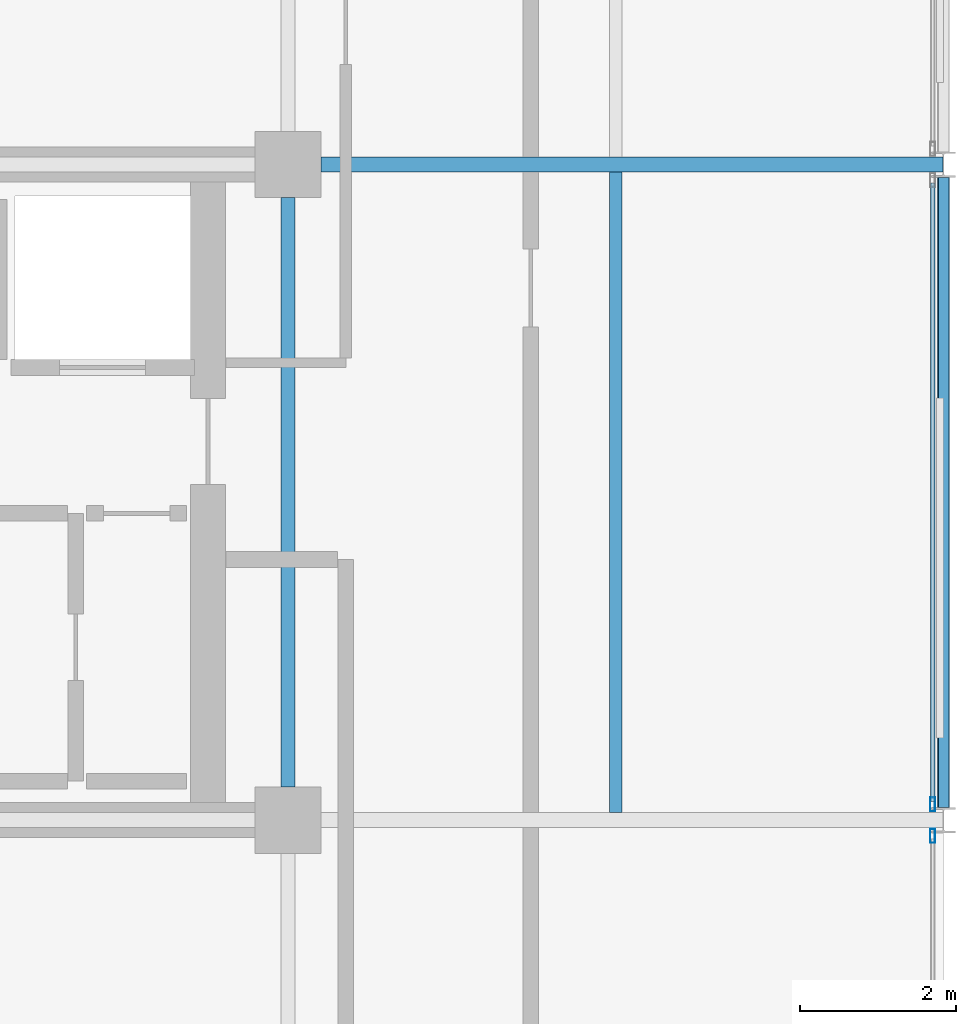
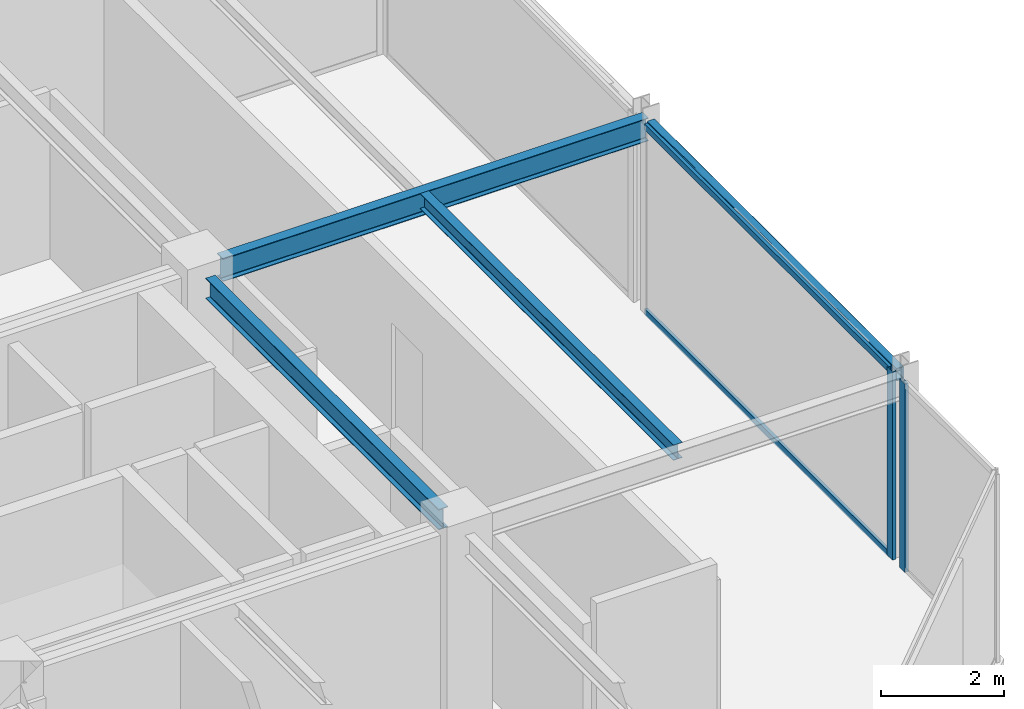
# One storey, part 15 of 26: 4 beams, 4 members, 2 elements without a shape of their own.
"""IFC4 building model written with IfcOpenShell, lengths in metres."""

from ifc_helpers import new_model, si_unit, direction, frame, origin, origin_2d, place, context, subcontext, project, spatial, hollow_rectangle, i_section, extrude, material, layer, layer_set, material_profile, profile_set, type_object, element, aggregate, save


model = new_model("IFC4")

# Units and contexts
model_context = context("Model", 3, precision=1e-05, world=origin(), true_north=direction((0.0, 1.0)))
body_context = subcontext(model_context, "Body", "Model", "MODEL_VIEW")
ifc_project = project(units=[si_unit("LENGTHUNIT", "METRE"), si_unit("AREAUNIT", "SQUARE_METRE"), si_unit("VOLUMEUNIT", "CUBIC_METRE"), si_unit("PLANEANGLEUNIT", "RADIAN"), si_unit("MASSUNIT", "GRAM", prefix="KILO")], contexts=[model_context])

# Site, building, storey
site_placement = place(None, origin())
site = spatial("IfcSite", under=ifc_project, at=site_placement, CompositionType="ELEMENT")
building_placement = place(site_placement, origin())
building = spatial("IfcBuilding", under=site, at=building_placement, Name="Nerrivon Quay Data Exchange", CompositionType="ELEMENT")
storey_placement = place(building_placement, frame((0.0, 0.0, 270.199951171875)))
storey = spatial("IfcBuildingStorey", under=building, at=storey_placement, Name="L64", CompositionType="ELEMENT", Elevation=270.199951171875)

# Beams
ifc_material_1 = material(Name="Steel Grade 350", Category="steel")
ifc_material_profile_1 = material_profile(ifc_material_1, i_section(OverallWidth=0.18994140625, OverallDepth=0.4541015625, WebThickness=0.008544921875, FlangeThickness=0.0126953125, FilletRadius=0.011474609375, at=origin_2d()), Name="460UB67.1")
ifc_profile_set_1 = profile_set([ifc_material_profile_1], Name="Steel Grade 350")
beam_type_1 = type_object("IfcBeamType", Name="BM-G6-460UB67", PredefinedType="BEAM", material=ifc_profile_set_1)
beam_1_placement = place(storey_placement, frame((34.02490234375, 16.800048828125, 3.498046875), z_axis=(1.0, 0.0, 0.0), x_axis=(0.0, 1.0, 0.0)))
element("IfcBeam", 1, at=beam_1_placement, inside=storey, type_object=beam_type_1, Name="L64 EW Girder Y=16.8 (33.6..42.0)", PredefinedType="BEAM", context=body_context, shape_type="SweptSolid", body=[
    extrude(i_section(OverallWidth=0.18994140625, OverallDepth=0.4541015625, WebThickness=0.008544921875, FlangeThickness=0.0126953125, FilletRadius=0.011474609375, at=origin_2d()), origin(), (0.0, 0.0, 1.0), 7.96728515625),
])
ifc_material_profile_2 = material_profile(ifc_material_1, i_section(OverallWidth=0.177978515625, OverallDepth=0.406005859375, WebThickness=0.0078125, FlangeThickness=0.0126953125, FilletRadius=0.011474609375, at=origin_2d()), Name="410UB59.7")
ifc_profile_set_2 = profile_set([ifc_material_profile_2], Name="Steel Grade 350")
beam_type_2 = type_object("IfcBeamType", Name="BM-J1-410UB60", PredefinedType="JOIST", material=ifc_profile_set_2)
beam_2_placement = place(storey_placement, frame((33.60009765625, 8.824951171875, 3.52197265625), z_axis=(0.0, 1.0, 0.0), x_axis=(-1.0, 0.0, 0.0)))
element("IfcBeam", 2, at=beam_2_placement, inside=storey, type_object=beam_type_2, Name="L64 NS Girder X=33.6 (8.4..16.8)", PredefinedType="JOIST", context=body_context, shape_type="SweptSolid", body=[
    extrude(i_section(OverallWidth=0.177978515625, OverallDepth=0.406005859375, WebThickness=0.0078125, FlangeThickness=0.0126953125, FilletRadius=0.011474609375, at=origin_2d()), origin(), (0.0, 0.0, 1.0), 7.550048828125),
])
ifc_material_profile_3 = material_profile(ifc_material_1, i_section(OverallWidth=0.1650390625, OverallDepth=0.303955078125, WebThickness=0.006103515625, FlangeThickness=0.01025390625, FilletRadius=0.011474609375, at=origin_2d()), Name="310UB40.4")
ifc_profile_set_3 = profile_set([ifc_material_profile_3], Name="Steel Grade 350")
beam_type_3 = type_object("IfcBeamType", Name="BM-J6-310UB40", PredefinedType="JOIST", material=ifc_profile_set_3)
beam_3_placement = place(storey_placement, frame((37.800048828125, 8.4951171875, 3.572998046875), z_axis=(0.0, 1.0, 0.0), x_axis=(-1.0, 0.0, 0.0)))
element("IfcBeam", 3, at=beam_3_placement, inside=storey, type_object=beam_type_3, Name="L64 Secondary Joist X=37.8 (8.4..16.8)", PredefinedType="JOIST", context=body_context, shape_type="SweptSolid", body=[
    extrude(i_section(OverallWidth=0.1650390625, OverallDepth=0.303955078125, WebThickness=0.006103515625, FlangeThickness=0.01025390625, FilletRadius=0.011474609375, at=origin_2d()), origin(), (0.0, 0.0, 1.0), 8.2099609375),
])
ifc_material_2 = material(Name="Steel Grade C350L0 (350 MPa)", Category="steel")
ifc_material_profile_4 = material_profile(ifc_material_2, hollow_rectangle(XDim=0.14990234375, YDim=0.25, WallThickness=0.009033203125, InnerFilletRadius=0.013427734375, OuterFilletRadius=0.0224609375, at=origin_2d()), Name="250x150x9.0RHS")
ifc_profile_set_4 = profile_set([ifc_material_profile_4], Name="Steel Grade C350L0 (350 MPa)")
beam_type_4 = type_object("IfcBeamType", Name="BM-SP4-250x150RHS", PredefinedType="SPANDREL", material=ifc_profile_set_4)
beam_4_placement = place(storey_placement, frame((42.0, 8.5634765625, 3.60009765625), z_axis=(0.0, 1.0, 0.0), x_axis=(-1.0, 0.0, 0.0)))
element("IfcBeam", 4, at=beam_4_placement, inside=storey, type_object=beam_type_4, Name="L64 NS Girder X=42.0 (8.4..16.8)", PredefinedType="SPANDREL", context=body_context, shape_type="SweptSolid", body=[
    extrude(hollow_rectangle(XDim=0.14990234375, YDim=0.25, WallThickness=0.009033203125, InnerFilletRadius=0.013427734375, OuterFilletRadius=0.0224609375, at=origin_2d()), origin(), (0.0, 0.0, 1.0), 8.072998046875),
])

# Curtain wall, member
ifc_material_3 = material(Name="Anodised aluminium 6063-T6", Category="aluminium")
ifc_layer = layer(ifc_material_3, 0.195068359375)
ifc_layer_set = layer_set([ifc_layer], Name="Anodised aluminium 6063-T6")
curtain_wall_type = type_object("IfcCurtainWallType", Name="CW-SYS-06", PredefinedType="NOTDEFINED", material=ifc_layer_set)
curtain_wall_1_placement = place(storey_placement, origin())
curtain_wall_1 = element("IfcCurtainWall", 5, at=curtain_wall_1_placement, inside=storey, type_object=curtain_wall_type, Name="L64 Unitised Curtain Wall 27", PredefinedType="NOTDEFINED")
ifc_material_profile_5 = material_profile(ifc_material_3, hollow_rectangle(XDim=0.06494140625, YDim=0.179931640625, WallThickness=0.00341796875, at=origin_2d()), Name="ALU-MULL-180x65")
ifc_profile_set_5 = profile_set([ifc_material_profile_5], Name="Anodised aluminium 6063-T6")
member_type_1 = type_object("IfcMemberType", Name="CWM-180x65", PredefinedType="MULLION", material=ifc_profile_set_5)
member_1_placement = place(storey_placement, frame((41.860107421875, 8.60107421875, 0.0), z_axis=(0.0, 0.0, 1.0), x_axis=(1.0, 0.0, 0.0)))
member_1 = element("IfcMember", 6, at=member_1_placement, type_object=member_type_1, Name="CW06 mullion 2", PredefinedType="MULLION", context=body_context, shape_type="SweptSolid", body=[
    extrude(hollow_rectangle(XDim=0.06494140625, YDim=0.179931640625, WallThickness=0.00341796875, at=origin_2d()), origin(), (0.0, 0.0, 1.0), 3.72509765625),
])

curtain_wall_2_placement = place(storey_placement, origin())
curtain_wall_2 = element("IfcCurtainWall", 7, at=curtain_wall_2_placement, inside=storey, type_object=curtain_wall_type, Name="L64 Unitised Curtain Wall 28", PredefinedType="NOTDEFINED")
member_2_placement = place(storey_placement, frame((41.860107421875, 8.198974609375, 0.0), z_axis=(0.0, 0.0, 1.0), x_axis=(1.0, 0.0, 0.0)))
member_2 = element("IfcMember", 8, at=member_2_placement, type_object=member_type_1, Name="CW06 mullion 1", PredefinedType="MULLION", context=body_context, shape_type="SweptSolid", body=[
    extrude(hollow_rectangle(XDim=0.06494140625, YDim=0.179931640625, WallThickness=0.00341796875, at=origin_2d()), origin(), (0.0, 0.0, 1.0), 3.72509765625),
])
aggregate(curtain_wall_2, [member_2])

# Member
ifc_material_profile_6 = material_profile(ifc_material_3, hollow_rectangle(XDim=0.06005859375, YDim=0.1201171875, WallThickness=0.003173828125, at=origin_2d()), Name="ALU-TRAN-120x60")
ifc_profile_set_6 = profile_set([ifc_material_profile_6], Name="Anodised aluminium 6063-T6")
member_type_2 = type_object("IfcMemberType", Name="CWT-120x60", PredefinedType="USERDEFINED", material=ifc_profile_set_6)
member_3_placement = place(storey_placement, frame((41.860107421875, 16.5615234375, 0.032470703125), z_axis=(0.0, -1.0, 0.0), x_axis=(1.0, 0.0, 0.0)))
member_3 = element("IfcMember", 9, at=member_3_placement, type_object=member_type_2, Name="CW06 transom 1.1", ObjectType="TRANSOM", PredefinedType="USERDEFINED", context=body_context, shape_type="SweptSolid", body=[
    extrude(hollow_rectangle(XDim=0.06005859375, YDim=0.1201171875, WallThickness=0.003173828125, at=origin_2d()), origin(), (0.0, 0.0, 1.0), 7.923095703125),
])

member_4_placement = place(storey_placement, frame((41.860107421875, 16.5615234375, 3.692626953125), z_axis=(0.0, -1.0, 0.0), x_axis=(1.0, 0.0, 0.0)))
member_4 = element("IfcMember", 10, at=member_4_placement, type_object=member_type_2, Name="CW06 transom 1.2", ObjectType="TRANSOM", PredefinedType="USERDEFINED", context=body_context, shape_type="SweptSolid", body=[
    extrude(hollow_rectangle(XDim=0.06005859375, YDim=0.1201171875, WallThickness=0.003173828125, at=origin_2d()), origin(), (0.0, 0.0, 1.0), 7.923095703125),
])

aggregate(curtain_wall_1, [member_1, member_3, member_4])

save(model, "model.ifc")
